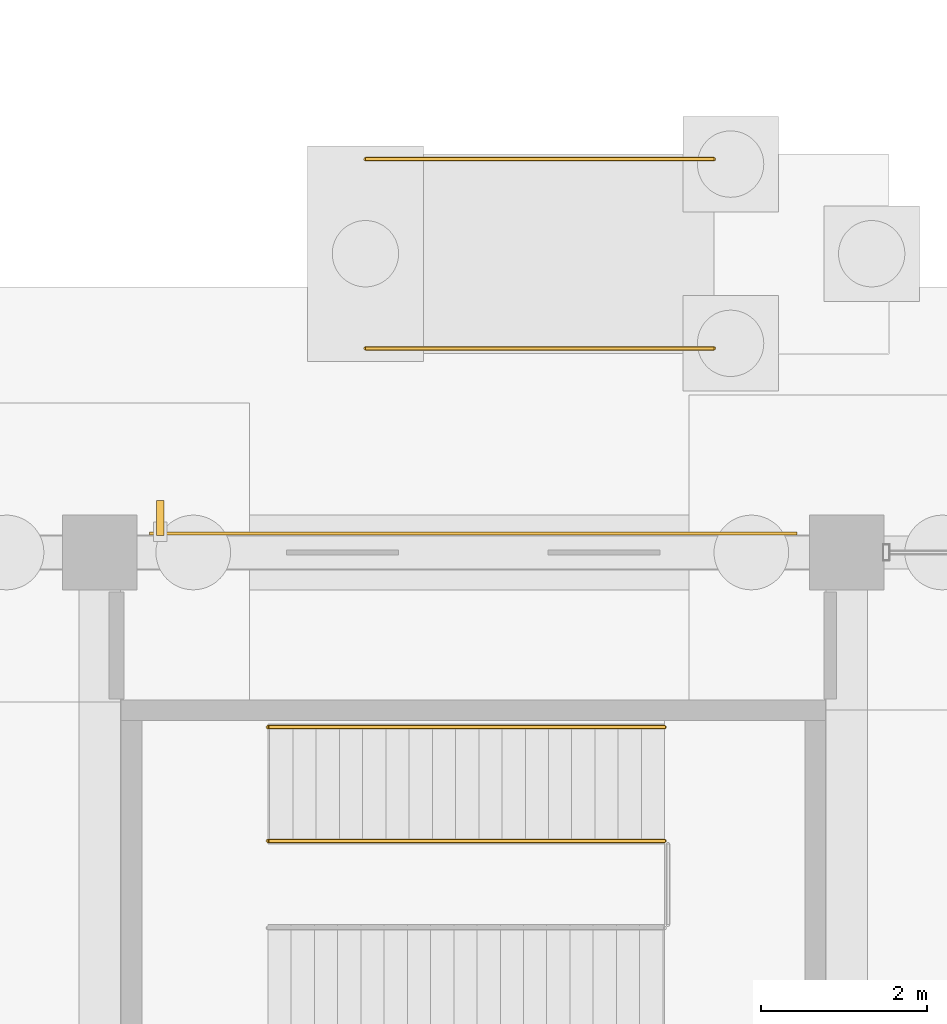
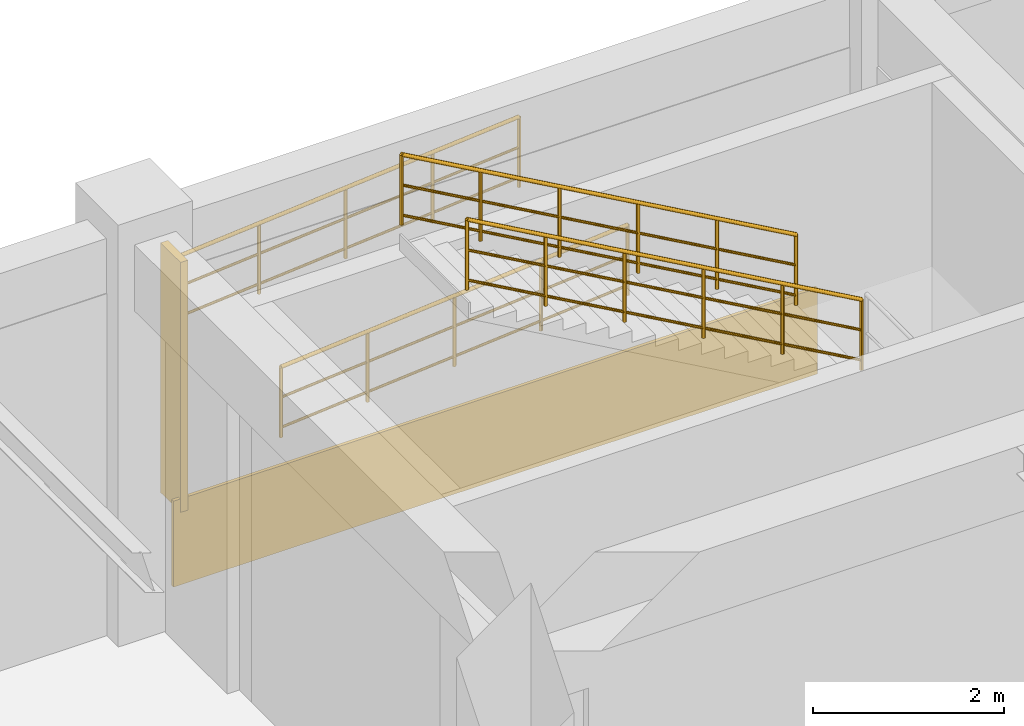
# One storey, part 116 of 121: 4 railings, 1 covering, 1 shading device.
"""IFC4 building model written with IfcOpenShell, lengths in metres."""

from ifc_helpers import new_model, si_unit, derived_unit, direction, frame, origin, origin_2d, place, context, subcontext, project, spatial, rectangle, circle, extrude, material, layer, layer_set, type_object, element, save


model = new_model("IFC4")

# Units and contexts
model_context = context("Model", 3, precision=1e-05, world=origin(), true_north=direction((0.0, 1.0)))
body_context = subcontext(model_context, "Body", "Model", "MODEL_VIEW")
ifc_project = project(units=[si_unit("LENGTHUNIT", "METRE"), si_unit("AREAUNIT", "SQUARE_METRE"), si_unit("VOLUMEUNIT", "CUBIC_METRE"), si_unit("PLANEANGLEUNIT", "RADIAN"), si_unit("MASSUNIT", "GRAM", prefix="KILO"), derived_unit("THERMALTRANSMITTANCEUNIT", [(si_unit("MASSUNIT", "GRAM", prefix="KILO"), 1), (si_unit("TIMEUNIT", "SECOND"), -3), (si_unit("THERMODYNAMICTEMPERATUREUNIT", "KELVIN"), -1)])], contexts=[model_context])

# Site, building, storey
site_placement = place(None, origin())
site = spatial("IfcSite", under=ifc_project, at=site_placement, CompositionType="ELEMENT")
building_placement = place(site_placement, origin())
building = spatial("IfcBuilding", under=site, at=building_placement, Name="Zhenchuan Archway Interchange", CompositionType="ELEMENT")
storey_placement = place(building_placement, origin())
storey = spatial("IfcBuildingStorey", under=building, at=storey_placement, Name="L00", CompositionType="ELEMENT", Elevation=0.0)

# Covering
ifc_material_1 = material(Name="Granite Stone Cladding", Category="masonry")
ifc_layer = layer(ifc_material_1, 0.0400390625)
ifc_layer_set = layer_set([ifc_layer], Name="Granite Stone Cladding")
covering_type = type_object("IfcCoveringType", Name="COV_CLAD_GRANITE", PredefinedType="CLADDING", material=ifc_layer_set)
covering_placement = place(storey_placement, frame((121.5, 104.22802734375, 0.0), z_axis=(0.0, 0.0, 1.0), x_axis=(1.0, 0.0, 0.0)))
element("IfcCovering", 1, at=covering_placement, inside=storey, type_object=covering_type, Name="Pearl-grey granite plinth band 059", PredefinedType="CLADDING", context=body_context, shape_type="SweptSolid", body=[
    extrude(rectangle(XDim=7.803955078125, YDim=0.0400390625, at=origin_2d()), origin(), (0.0, 0.0, 1.0), 1.10009765625),
])

# Railings
ifc_material_2 = material(Name="Stainless Steel 304", Category="steel")
railing_type = type_object("IfcRailingType", Name="RL_HAND_920", PredefinedType="HANDRAIL", material=ifc_material_2)
for number, where, name in (
    (2, (123.804931640625, 100.52490234375, 2.85009765625), "Stair ST-O6 handrail 3 (L00)"),
    (3, (123.804931640625, 101.89501953125, 2.85009765625), "Stair ST-O6 handrail 4 (L00)"),
):
    element("IfcRailing", number, at=place(storey_placement, frame(where)), inside=storey, type_object=railing_type, Name=name, PredefinedType="HANDRAIL", context=body_context, shape_type="SweptSolid", body=[
        extrude(circle(Radius=0.02392578125, at=origin_2d()), frame((0.0, 0.0, 0.89599609375), z_axis=(-0.870703607627, 0.0, 0.49180812078), x_axis=(0.0, -1.0, 0.0)), (0.0, 0.0, 1.0), 5.48974609375),
        extrude(circle(Radius=0.01611328125, at=origin_2d()), frame((0.0, 0.0, 0.505859375), z_axis=(-0.870703607627, 0.0, 0.49180812078), x_axis=(0.0, -1.0, 0.0)), (0.0, 0.0, 1.0), 5.48974609375),
        extrude(circle(Radius=0.01611328125, at=origin_2d()), frame((0.0, 0.0, 0.1201171875), z_axis=(-0.870703607627, 0.0, 0.49180812078), x_axis=(0.0, -1.0, 0.0)), (0.0, 0.0, 1.0), 5.48974609375),
        extrude(circle(Radius=0.02099609375, at=origin_2d()), origin(), (0.0, 0.0, 1.0), 0.89599609375),
        extrude(circle(Radius=0.02099609375, at=origin_2d()), frame((-0.9560546875, 0.0, 0.5400390625)), (0.0, 0.0, 1.0), 0.89599609375),
        extrude(circle(Radius=0.02099609375, at=origin_2d()), frame((-1.912109375, 0.0, 1.080078125)), (0.0, 0.0, 1.0), 0.89599609375),
        extrude(circle(Radius=0.02099609375, at=origin_2d()), frame((-2.867919921875, 0.0, 1.619873046875)), (0.0, 0.0, 1.0), 0.89599609375),
        extrude(circle(Radius=0.02099609375, at=origin_2d()), frame((-3.823974609375, 0.0, 2.159912109375)), (0.0, 0.0, 1.0), 0.89599609375),
        extrude(circle(Radius=0.02099609375, at=origin_2d()), frame((-4.780029296875, 0.0, 2.699951171875)), (0.0, 0.0, 1.0), 0.89599609375),
    ])
for number, where, name in (
    (4, (120.199951171875, 106.4599609375, -0.35009765625), "RMP-A4 handrail 1"),
    (5, (120.199951171875, 108.739990234375, -0.35009765625), "RMP-A4 handrail 2"),
):
    element("IfcRailing", number, at=place(storey_placement, frame(where)), inside=storey, type_object=railing_type, Name=name, PredefinedType="HANDRAIL", context=body_context, shape_type="SweptSolid", body=[
        extrude(circle(Radius=0.02392578125, at=origin_2d()), frame((0.0, 0.0, 0.89599609375), z_axis=(0.996543760423, 0.0, 0.083069450238), x_axis=(0.0, 1.0, 0.0)), (0.0, 0.0, 1.0), 4.214599609375),
        extrude(circle(Radius=0.01611328125, at=origin_2d()), frame((0.0, 0.0, 0.505859375), z_axis=(0.996543760423, 0.0, 0.083069450238), x_axis=(0.0, 1.0, 0.0)), (0.0, 0.0, 1.0), 4.214599609375),
        extrude(circle(Radius=0.01611328125, at=origin_2d()), frame((0.0, 0.0, 0.1201171875), z_axis=(0.996543760423, 0.0, 0.083069450238), x_axis=(0.0, 1.0, 0.0)), (0.0, 0.0, 1.0), 4.214599609375),
        extrude(circle(Radius=0.02099609375, at=origin_2d()), origin(), (0.0, 0.0, 1.0), 0.89599609375),
        extrude(circle(Radius=0.02099609375, at=origin_2d()), frame((1.050048828125, 0.0, 0.08740234375)), (0.0, 0.0, 1.0), 0.89599609375),
        extrude(circle(Radius=0.02099609375, at=origin_2d()), frame((2.10009765625, 0.0, 0.175048828125)), (0.0, 0.0, 1.0), 0.89599609375),
        extrude(circle(Radius=0.02099609375, at=origin_2d()), frame((3.14990234375, 0.0, 0.2626953125)), (0.0, 0.0, 1.0), 0.89599609375),
        extrude(circle(Radius=0.02099609375, at=origin_2d()), frame((4.199951171875, 0.0, 0.35009765625)), (0.0, 0.0, 1.0), 0.89599609375),
    ])

# Shading device
ifc_material_3 = material(Name="Terracotta Ceramic", Category="masonry")
shading_device_type = type_object("IfcShadingDeviceType", Name="SHD_FIN_1", PredefinedType="USERDEFINED", material=ifc_material_3)
shading_device_placement = place(storey_placement, frame((117.72802734375, 104.4140625, 0.93017578125), z_axis=(0.0, 0.0, 1.0), x_axis=(1.0, 0.0, 0.0)))
element("IfcShadingDevice", 6, at=shading_device_placement, inside=storey, type_object=shading_device_type, Name="Terracotta vertical solar fin L00-012", ObjectType="FINS", PredefinedType="USERDEFINED", context=body_context, shape_type="SweptSolid", body=[
    extrude(rectangle(XDim=0.090087890625, YDim=0.419921875, at=origin_2d()), origin(), (0.0, 0.0, 1.0), 3.199951171875),
])

save(model, "model.ifc")
